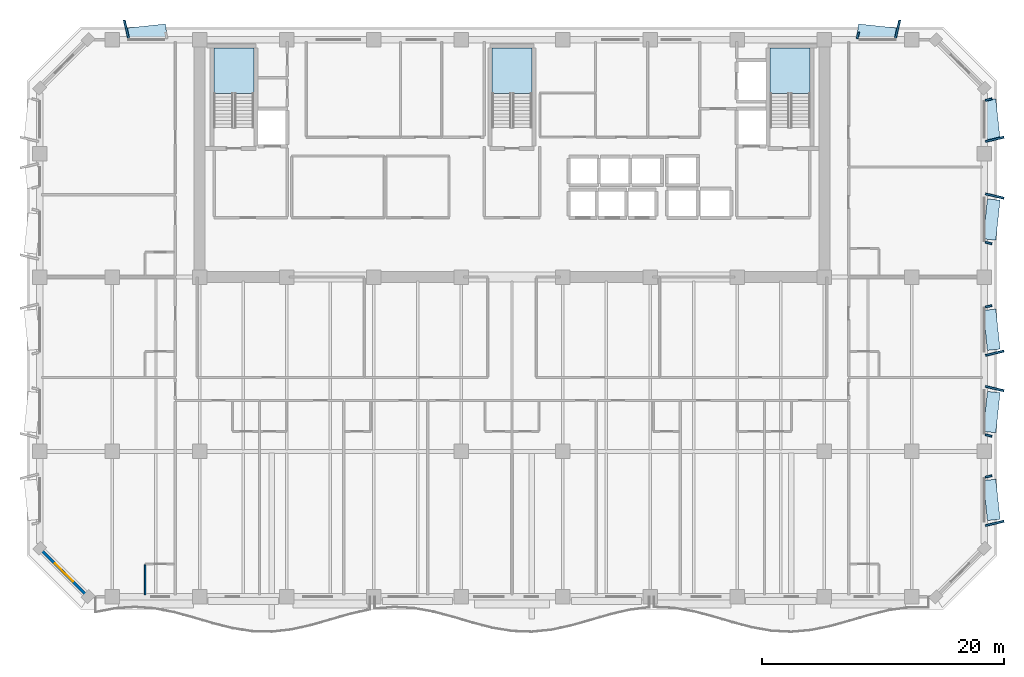
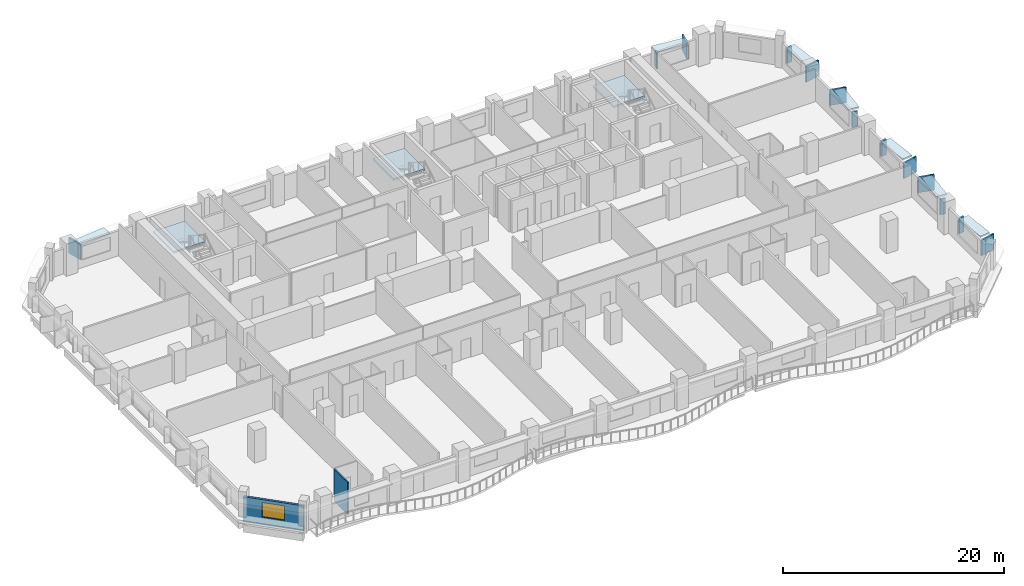
# One storey, part 3 of 14: 20 plates, 3 slabs, 2 walls, 1 window, 1 opening, 3 elements without a shape of their own.
"""IFC4 building model written with IfcOpenShell, lengths in metres."""

from ifc_helpers import new_model, si_unit, direction, frame, frame_2d, origin, origin_2d, place, context, subcontext, project, spatial, polyline, rectangle, outline, extrude, material, layer, layer_set, type_object, element, fill, aggregate, save


model = new_model("IFC4")

# Units and contexts
model_context = context("Model", 3, precision=1e-05, world=origin(), true_north=direction((0.0, 1.0)))
body_context = subcontext(model_context, "Body", "Model", "MODEL_VIEW")
ifc_project = project(units=[si_unit("LENGTHUNIT", "METRE"), si_unit("AREAUNIT", "SQUARE_METRE"), si_unit("VOLUMEUNIT", "CUBIC_METRE"), si_unit("PLANEANGLEUNIT", "RADIAN"), si_unit("MASSUNIT", "GRAM", prefix="KILO")], contexts=[model_context])

# Site, building, storey
site_placement = place(None, origin())
site = spatial("IfcSite", under=ifc_project, at=site_placement, CompositionType="ELEMENT")
building_placement = place(site_placement, origin())
building = spatial("IfcBuilding", under=site, at=building_placement, Name="Kaelvorn Grand Hotel", CompositionType="ELEMENT")
storey_placement = place(building_placement, frame((0.0, 0.0, 161.949951171875)))
storey = spatial("IfcBuildingStorey", under=building, at=storey_placement, Name="L39", CompositionType="ELEMENT", Elevation=161.949951171875)

# Plates
ifc_material_1 = material(Name="Precast concrete C45/55", Category="concrete")
ifc_layer_1 = layer(ifc_material_1, 0.159912109375)
ifc_layer_set_1 = layer_set([ifc_layer_1], Name="Precast concrete C45/55")
plate_type_1 = type_object("IfcPlateType", Name="PL-FRAME-DEEP-1550", PredefinedType="USERDEFINED", material=ifc_layer_set_1)
for number, where, z_axis, x_axis, name in (
    (1, (81.85498046875, 9.06005859375, 0.81494140625), (0.0, 0.0, 1.0), (-0.233445363856, 0.972369920398, 0.0), "L39 Tilted Precast Window Frame Fin L-E01"),
    (2, (81.85498046875, 20.18994140625, 0.81494140625), (0.0, 0.0, 1.0), (0.233445363856, 0.972369920398, 0.0), "L39 Tilted Precast Window Frame Fin R-E02"),
    (3, (81.85498046875, 23.110107421875, 0.81494140625), (0.0, 0.0, 1.0), (-0.233445363856, 0.972369920398, 0.0), "L39 Tilted Precast Window Frame Fin L-E03"),
    (4, (81.85498046875, 36.090087890625, 0.81494140625), (0.0, 0.0, 1.0), (0.233445363856, 0.972369920398, 0.0), "L39 Tilted Precast Window Frame Fin R-E04"),
    (5, (81.85498046875, 40.77490234375, 0.740234375), (0.0, 0.0, 1.0), (-0.233445363856, 0.972369920398, 0.0), "L39 Tilted Precast Window Frame Fin L-E05"),
    (6, (10.159912109375, 49.85498046875, 0.740234375), (0.0, 0.0, 1.0), (0.972369920398, 0.233445363856, 0.0), "L39 Tilted Precast Window Frame Fin L-N01"),
    (7, (73.840087890625, 49.85498046875, 0.740234375), (0.0, 0.0, 1.0), (0.972369920398, -0.233445363856, 0.0), "L39 Tilted Precast Window Frame Fin R-N02"),
):
    element("IfcPlate", number, at=place(storey_placement, frame(where, z_axis=z_axis, x_axis=x_axis)), inside=storey, type_object=plate_type_1, Name=name, ObjectType="FLANGE_PLATE", PredefinedType="USERDEFINED", context=body_context, shape_type="SweptSolid", body=[
        extrude(rectangle(XDim=0.159912109375, YDim=1.550048828125, at=origin_2d()), origin(), (0.0, 0.0, 1.0), 1.719970703125),
    ])
ifc_layer_2 = layer(ifc_material_1, 0.159912109375)
ifc_layer_set_2 = layer_set([ifc_layer_2], Name="Precast concrete C45/55")
plate_type_2 = type_object("IfcPlateType", Name="PL-FRAME-HEAD-1050", PredefinedType="USERDEFINED", material=ifc_layer_set_2)
for number, where, z_axis, x_axis, name in (
    (8, (81.60498046875, 11.0, 2.5), (0.0, 0.0, 1.0), (-0.105830199459, 0.994384215926, 0.0), "L39 Precast Window Frame Head Hood H-E01"),
    (9, (81.60498046875, 18.25, 2.5), (0.0, 0.0, 1.0), (0.105830199459, 0.994384215926, 0.0), "L39 Precast Window Frame Head Hood H-E02"),
    (10, (81.60498046875, 25.050048828125, 2.5), (0.0, 0.0, 1.0), (-0.105830199459, 0.994384215926, 0.0), "L39 Precast Window Frame Head Hood H-E03"),
    (11, (81.60498046875, 34.14990234375, 2.5), (0.0, 0.0, 1.0), (0.105830199459, 0.994384215926, 0.0), "L39 Precast Window Frame Head Hood H-E04"),
    (12, (81.60498046875, 42.4150390625, 2.35009765625), (0.0, 0.0, 1.0), (-0.105830199459, 0.994384215926, 0.0), "L39 Precast Window Frame Head Hood H-E05"),
    (13, (11.800048828125, 49.60498046875, 2.35009765625), (0.0, 0.0, 1.0), (0.994384215926, 0.105830199459, 0.0), "L39 Precast Window Frame Head Hood H-N01"),
    (14, (72.199951171875, 49.60498046875, 2.35009765625), (0.0, 0.0, 1.0), (0.994384215926, -0.105830199459, 0.0), "L39 Precast Window Frame Head Hood H-N02"),
):
    element("IfcPlate", number, at=place(storey_placement, frame(where, z_axis=z_axis, x_axis=x_axis)), inside=storey, type_object=plate_type_2, Name=name, ObjectType="FLANGE_PLATE", PredefinedType="USERDEFINED", context=body_context, shape_type="SweptSolid", body=[
        extrude(rectangle(XDim=3.320068359375, YDim=1.050048828125, at=origin_2d()), origin(), (0.0, 0.0, 1.0), 0.159912109375),
    ])
ifc_layer_3 = layer(ifc_material_1, 0.159912109375)
ifc_layer_set_3 = layer_set([ifc_layer_3], Name="Precast concrete C45/55")
plate_type_3 = type_object("IfcPlateType", Name="PL-FRAME-SHAL-550", PredefinedType="USERDEFINED", material=ifc_layer_set_3)
for number, where, z_axis, x_axis, name in (
    (15, (81.35498046875, 12.93994140625, 0.81494140625), (0.0, 0.0, 1.0), (-0.233445363856, 0.972369920398, 0.0), "L39 Tilted Precast Window Frame Fin R-E01"),
    (16, (81.35498046875, 16.31005859375, 0.81494140625), (0.0, 0.0, 1.0), (0.233445363856, 0.972369920398, 0.0), "L39 Tilted Precast Window Frame Fin L-E02"),
    (17, (81.35498046875, 26.989990234375, 0.81494140625), (0.0, 0.0, 1.0), (-0.233445363856, 0.972369920398, 0.0), "L39 Tilted Precast Window Frame Fin R-E03"),
    (18, (81.35498046875, 32.2099609375, 0.81494140625), (0.0, 0.0, 1.0), (0.233445363856, 0.972369920398, 0.0), "L39 Tilted Precast Window Frame Fin L-E04"),
    (19, (81.35498046875, 44.054931640625, 0.740234375), (0.0, 0.0, 1.0), (-0.233445363856, 0.972369920398, 0.0), "L39 Tilted Precast Window Frame Fin R-E05"),
    (20, (70.56005859375, 49.35498046875, 0.740234375), (0.0, 0.0, 1.0), (0.972369920398, -0.233445363856, 0.0), "L39 Tilted Precast Window Frame Fin L-N02"),
):
    element("IfcPlate", number, at=place(storey_placement, frame(where, z_axis=z_axis, x_axis=x_axis)), inside=storey, type_object=plate_type_3, Name=name, ObjectType="FLANGE_PLATE", PredefinedType="USERDEFINED", context=body_context, shape_type="SweptSolid", body=[
        extrude(rectangle(XDim=0.159912109375, YDim=0.550048828125, at=origin_2d()), origin(), (0.0, 0.0, 1.0), 1.719970703125),
    ])

# Stair, slab
ifc_material_2 = material(Name="Concrete C40/50", Category="concrete")
stair_type = type_object("IfcStairType", Name="STR-DOG-1560-R08", PredefinedType="HALF_TURN_STAIR", material=ifc_material_2)
stair_1_placement = place(storey_placement, origin())
stair_1 = element("IfcStair", 21, at=stair_1_placement, inside=storey, type_object=stair_type, Name="L39 West Core Exit Stair ST1", PredefinedType="HALF_TURN_STAIR")
ifc_layer_4 = layer(ifc_material_2, 0.199951171875)
ifc_layer_set_4 = layer_set([ifc_layer_4], Name="Concrete C40/50")
slab_type = type_object("IfcSlabType", Name="SLB-LAND-200-C40", PredefinedType="LANDING", material=ifc_layer_set_4)
slab_1_placement = place(storey_placement, frame((0.0, 0.0, 1.699951171875)))
slab_1 = element("IfcSlab", 22, at=slab_1_placement, type_object=slab_type, Name="ST1 landing 1", PredefinedType="LANDING", context=body_context, shape_type="SweptSolid", body=[
    extrude(outline(polyline([(20.679931640625, 44.56005859375), (20.679931640625, 48.300048828125), (17.39990234375, 48.300048828125), (17.39990234375, 44.56005859375), (20.679931640625, 44.56005859375)])), origin(), (0.0, 0.0, 1.0), 0.2001953125),
])
aggregate(stair_1, [slab_1])

stair_2_placement = place(storey_placement, origin())
stair_2 = element("IfcStair", 23, at=stair_2_placement, inside=storey, type_object=stair_type, Name="L39 Central Core Exit Stair ST2", PredefinedType="HALF_TURN_STAIR")
slab_2_placement = place(storey_placement, frame((0.0, 0.0, 1.699951171875)))
slab_2 = element("IfcSlab", 24, at=slab_2_placement, type_object=slab_type, Name="ST2 landing 1", PredefinedType="LANDING", context=body_context, shape_type="SweptSolid", body=[
    extrude(outline(polyline([(43.639892578125, 44.56005859375), (43.639892578125, 48.300048828125), (40.360107421875, 48.300048828125), (40.360107421875, 44.56005859375), (43.639892578125, 44.56005859375)])), origin(), (0.0, 0.0, 1.0), 0.2001953125),
])
aggregate(stair_2, [slab_2])

stair_3_placement = place(storey_placement, origin())
stair_3 = element("IfcStair", 25, at=stair_3_placement, inside=storey, type_object=stair_type, Name="L39 East Core Exit Stair ST3", PredefinedType="HALF_TURN_STAIR")
slab_3_placement = place(storey_placement, frame((0.0, 0.0, 1.699951171875)))
slab_3 = element("IfcSlab", 26, at=slab_3_placement, type_object=slab_type, Name="ST3 landing 1", PredefinedType="LANDING", context=body_context, shape_type="SweptSolid", body=[
    extrude(outline(polyline([(66.60009765625, 44.56005859375), (66.60009765625, 48.300048828125), (63.320068359375, 48.300048828125), (63.320068359375, 44.56005859375), (66.60009765625, 44.56005859375)])), origin(), (0.0, 0.0, 1.0), 0.2001953125),
])
aggregate(stair_3, [slab_3])

# Wall, opening, window
ifc_layer_5 = layer(ifc_material_2, 0.239990234375)
ifc_layer_set_5 = layer_set([ifc_layer_5], Name="Concrete C40/50")
wall_type_1 = type_object("IfcWallType", Name="WL-EXT-240-C40", PredefinedType="SOLIDWALL", material=ifc_layer_set_5)
wall_1_placement = place(storey_placement, frame((3.0, 7.0, 0.0), z_axis=(0.0, 0.0, 1.0), x_axis=(0.707106781187, -0.707106781187, 0.0)))
wall_1 = element("IfcWall", 27, at=wall_1_placement, inside=storey, type_object=wall_type_1, Name="L39 Exterior Architectural Concrete Wall 08", PredefinedType="SOLIDWALL", context=body_context, shape_type="SweptSolid", body=[
    extrude(rectangle(XDim=5.65673828125, YDim=0.239990234375, at=frame_2d((2.828369140625, 0.0))), origin(), (0.0, 0.0, 1.0), 2.760009765625),
])
opening_placement = place(wall_1_placement, frame((1.7783203125, 0.0, 0.85009765625)))
opening = element("IfcOpeningElement", 28, at=opening_placement, cuts=wall_1, Name="Opening W7", PredefinedType="OPENING", context=body_context, shape_type="SweptSolid", body=[
    extrude(rectangle(XDim=2.10009765625, YDim=1.60009765625, at=frame_2d((1.050048828125, 0.800048828125))), frame((0.0, 0.1298828125, 0.0), z_axis=(0.0, -1.0, 0.0), x_axis=(1.0, 0.0, 0.0)), (0.0, 0.0, 1.0), 0.260009765625),
])
ifc_material_3 = material(Name="Laminated Low-E Glass", Category="glass")
window_type = type_object("IfcWindowType", Name="WIN-CHM-2100x1600", PartitioningType="SINGLE_PANEL", PredefinedType="WINDOW", material=ifc_material_3)
window_placement = place(opening_placement, origin())
window = element("IfcWindow", 29, at=window_placement, inside=storey, type_object=window_type, Name="L39 Chamfered 45-Degree Corner Window SW", OverallHeight=1.60009765625, OverallWidth=2.10009765625, PartitioningType="SINGLE_PANEL", PredefinedType="WINDOW", context=body_context, shape_type="SweptSolid", body=[
    extrude(rectangle(XDim=2.10009765625, YDim=1.60009765625, at=frame_2d((1.050048828125, 0.800048828125))), frame((0.0, 0.030029296875, 0.0), z_axis=(0.0, -1.0, 0.0), x_axis=(1.0, 0.0, 0.0)), (0.0, 0.0, 1.0), 0.06005859375),
])
fill(opening, window)

# Wall
ifc_material_4 = material(Name="Moisture-Resistant Tile & Stud Board")
ifc_layer_6 = layer(ifc_material_4, 0.125)
ifc_layer_set_6 = layer_set([ifc_layer_6], Name="Moisture-Resistant Tile & Stud Board")
wall_type_2 = type_object("IfcWallType", Name="WL-PART-125-WET", PredefinedType="PARTITIONING", material=ifc_layer_set_6)
wall_2_placement = place(storey_placement, frame((11.699951171875, 3.14990234375, 0.0), z_axis=(0.0, 0.0, 1.0), x_axis=(0.0, 1.0, 0.0)))
element("IfcWall", 30, at=wall_2_placement, inside=storey, type_object=wall_type_2, Name="L39 En-suite Bathroom L39-09 W Partition", PredefinedType="PARTITIONING", context=body_context, shape_type="SweptSolid", body=[
    extrude(rectangle(XDim=2.482666015625, YDim=0.125, at=frame_2d((1.2412109375, 0.0))), origin(), (0.0, 0.0, 1.0), 3.56005859375),
])

save(model, "model.ifc")
